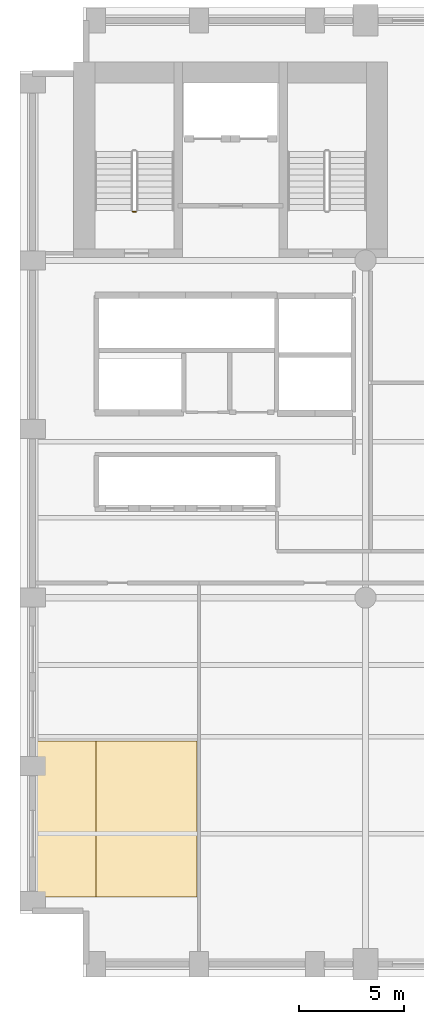
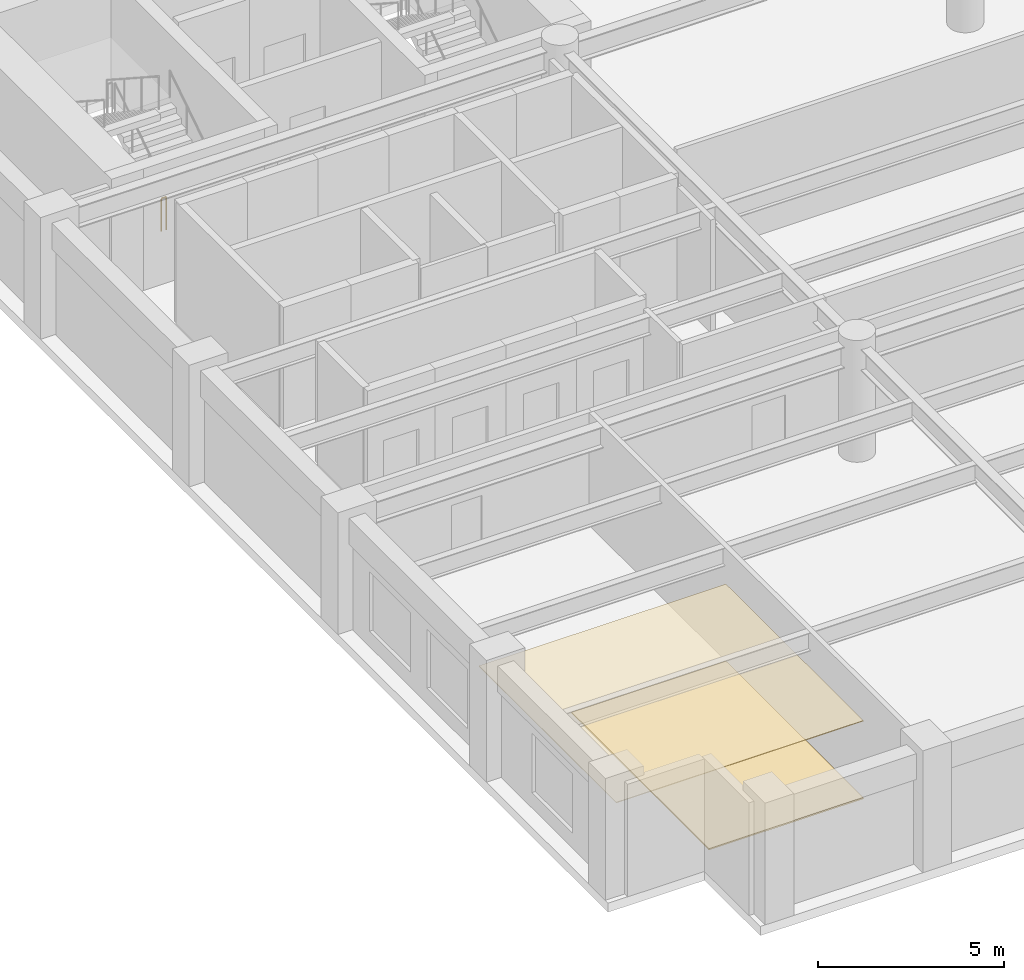
# One storey, part 7 of 9: 2 coverings, 1 railing.
"""IFC4 building model written with IfcOpenShell, lengths in metres."""

from ifc_helpers import new_model, si_unit, direction, frame, origin, origin_2d, place, context, subcontext, project, spatial, polyline, circle, outline, extrude, material, layer, layer_set, type_object, element, save


model = new_model("IFC4")

# Units and contexts
model_context = context("Model", 3, precision=1e-05, world=origin(), true_north=direction((0.0, 1.0)))
body_context = subcontext(model_context, "Body", "Model", "MODEL_VIEW")
ifc_project = project(units=[si_unit("LENGTHUNIT", "METRE"), si_unit("AREAUNIT", "SQUARE_METRE"), si_unit("VOLUMEUNIT", "CUBIC_METRE"), si_unit("PLANEANGLEUNIT", "RADIAN"), si_unit("MASSUNIT", "GRAM", prefix="KILO")], contexts=[model_context])

# Site, building, storey
site_placement = place(None, origin())
site = spatial("IfcSite", under=ifc_project, at=site_placement, CompositionType="ELEMENT")
building_placement = place(site_placement, origin())
building = spatial("IfcBuilding", under=site, at=building_placement, Name="Sulina Concourse Tower", CompositionType="ELEMENT")
storey_placement = place(building_placement, frame((0.0, 0.0, 66.60009765625)))
storey = spatial("IfcBuildingStorey", under=building, at=storey_placement, Name="L16", CompositionType="ELEMENT", Elevation=66.60009765625)

# Railing
ifc_material_1 = material(Name="Galvanised steel railing", Category="steel")
railing_type = type_object("IfcRailingType", Name="Core Stair Steel Guardrail 1150mm", PredefinedType="GUARDRAIL", material=ifc_material_1)
railing_placement = place(storey_placement, frame((5.5048828125, 36.324951171875, 0.0)))
element("IfcRailing", 1, at=railing_placement, inside=storey, type_object=railing_type, Name="L16 ST-1 stair guard 4", PredefinedType="GUARDRAIL", context=body_context, shape_type="SweptSolid", body=[
    extrude(circle(Radius=0.02392578125, at=origin_2d()), frame((0.0, 0.0, 1.076171875), z_axis=(-1.0, 0.0, 0.0), x_axis=(0.0, -1.0, 0.0)), (0.0, 0.0, 1.0), 0.14990234375),
    extrude(circle(Radius=0.02099609375, at=origin_2d()), origin(), (0.0, 0.0, 1.0), 1.052001953125),
    extrude(circle(Radius=0.02099609375, at=origin_2d()), frame((-0.14990234375, 0.0, 0.0)), (0.0, 0.0, 1.0), 1.052001953125),
])

# Coverings
ifc_material_2 = material(Name="Polished granite flooring", Category="masonry")
ifc_layer_1 = layer(ifc_material_2, 0.044921875)
ifc_layer_set_1 = layer_set([ifc_layer_1], Name="Polished granite flooring")
covering_type_1 = type_object("IfcCoveringType", Name="Polished Granite & Raised Access Flooring 45mm", PredefinedType="FLOORING", material=ifc_layer_set_1)
covering_1_placement = place(storey_placement, origin())
element("IfcCovering", 2, at=covering_1_placement, inside=storey, type_object=covering_type_1, Name="L16 raised access floor finish", PredefinedType="FLOORING", context=body_context, shape_type="SweptSolid", body=[
    extrude(outline(polyline([(3.60009765625, 3.800048828125), (8.39990234375, 3.800048828125), (8.39990234375, 11.199951171875), (3.60009765625, 11.199951171875), (3.60009765625, 3.800048828125)])), origin(), (0.0, 0.0, 1.0), 0.044921875),
])
ifc_material_3 = material(Name="Acoustic mineral ceiling board")
ifc_layer_2 = layer(ifc_material_3, 0.02490234375)
ifc_layer_set_2 = layer_set([ifc_layer_2], Name="Acoustic mineral ceiling board")
covering_type_2 = type_object("IfcCoveringType", Name="Suspended Acoustic Mineral Ceiling 25mm", PredefinedType="CEILING", material=ifc_layer_set_2)
covering_2_placement = place(storey_placement, frame((0.0, 0.0, 2.5498046875)))
element("IfcCovering", 3, at=covering_2_placement, inside=storey, type_object=covering_type_2, Name="L16 suspended acoustic tile ceiling", PredefinedType="CEILING", context=body_context, shape_type="SweptSolid", body=[
    extrude(outline(polyline([(0.719970703125, 3.800048828125), (8.39990234375, 3.800048828125), (8.39990234375, 11.199951171875), (0.719970703125, 11.199951171875), (0.719970703125, 3.800048828125)])), origin(), (0.0, 0.0, 1.0), 0.025146484375),
])

save(model, "model.ifc")
